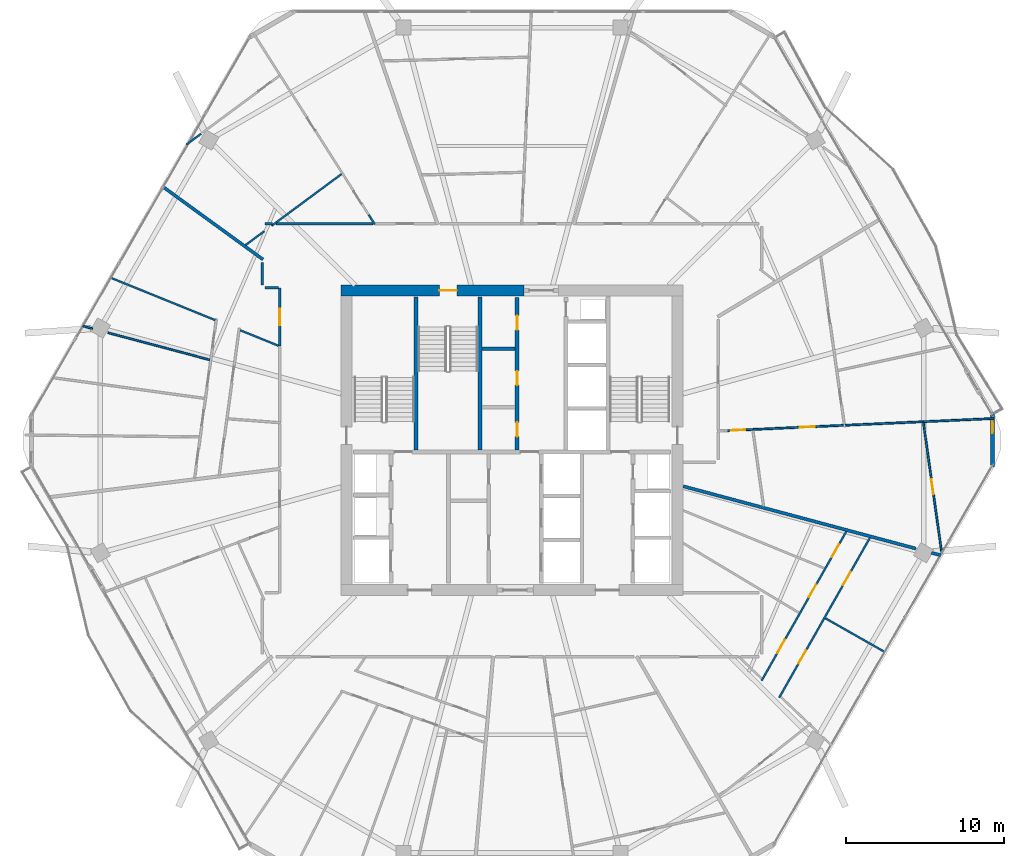
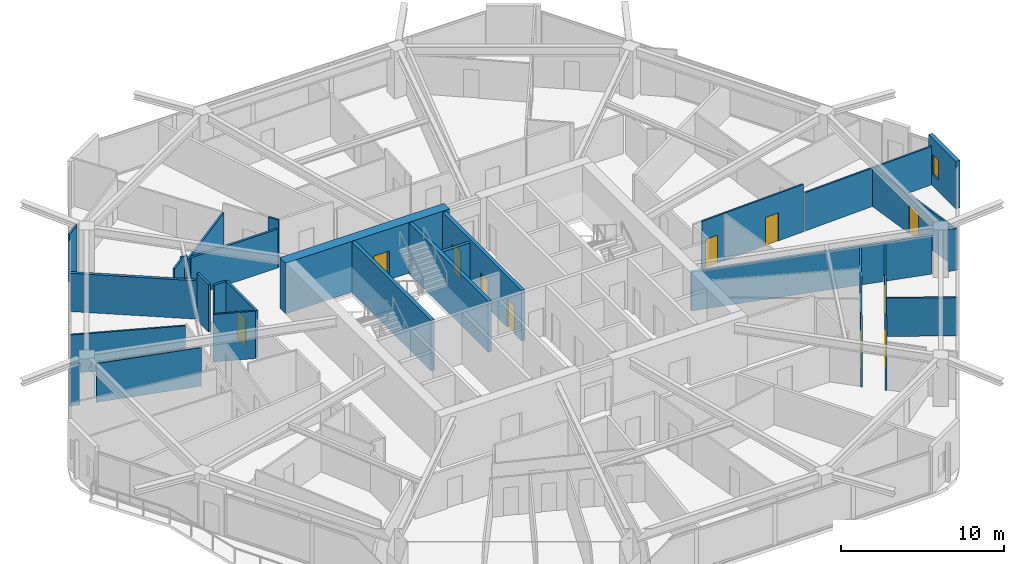
# One storey, part 21 of 26: 30 walls, 13 doors, 1 window, 14 openings.
"""IFC4 building model written with IfcOpenShell, lengths in metres."""

from ifc_helpers import new_model, si_unit, direction, frame, frame_2d, origin, place, context, subcontext, project, spatial, rectangle, extrude, material, layer, layer_set, type_object, element, fill, save


model = new_model("IFC4")

# Units and contexts
model_context = context("Model", 3, precision=1e-05, world=origin(), true_north=direction((0.0, 1.0)))
body_context = subcontext(model_context, "Body", "Model", "MODEL_VIEW")
ifc_project = project(units=[si_unit("LENGTHUNIT", "METRE"), si_unit("AREAUNIT", "SQUARE_METRE"), si_unit("VOLUMEUNIT", "CUBIC_METRE"), si_unit("PLANEANGLEUNIT", "RADIAN"), si_unit("MASSUNIT", "GRAM", prefix="KILO")], contexts=[model_context])

# Site, building, storey
site_placement = place(None, origin())
site = spatial("IfcSite", under=ifc_project, at=site_placement, CompositionType="ELEMENT")
building_placement = place(site_placement, origin())
building = spatial("IfcBuilding", under=site, at=building_placement, Name="Zuhravey Tower", CompositionType="ELEMENT")
storey_placement = place(building_placement, frame((0.0, 0.0, 203.60009765625)))
storey = spatial("IfcBuildingStorey", under=building, at=storey_placement, Name="L51", CompositionType="ELEMENT", Elevation=203.60009765625)

# Wall, opening, door
ifc_material_1 = material(Name="Concrete C60/75", Category="concrete")
ifc_layer_1 = layer(ifc_material_1, 0.699951171875)
ifc_layer_set_1 = layer_set([ifc_layer_1], Name="Concrete C60/75")
wall_type_1 = type_object("IfcWallType", Name="Core Shear Wall 700", PredefinedType="SHEAR", material=ifc_layer_set_1)
wall_1_placement = place(storey_placement, frame((36.75, 41.5, 0.0), z_axis=(0.0, 0.0, 1.0), x_axis=(-1.0, 0.0, 0.0)))
wall_1 = element("IfcWall", 1, at=wall_1_placement, inside=storey, type_object=wall_type_1, Name="L51 North-West Core Shear Wall CW70", PredefinedType="SHEAR", context=body_context, shape_type="SweptSolid", body=[
    extrude(rectangle(XDim=11.60009765625, YDim=0.699951171875, at=frame_2d((5.800048828125, 0.0))), origin(), (0.0, 0.0, 1.0), 3.7998046875),
])
opening_1_placement = place(wall_1_placement, frame((4.25, 0.0, 0.0)))
opening_1 = element("IfcOpeningElement", 2, at=opening_1_placement, cuts=wall_1, Name="Opening STD1", PredefinedType="OPENING", context=body_context, shape_type="SweptSolid", body=[
    extrude(rectangle(XDim=1.10009765625, YDim=2.14990234375, at=frame_2d((0.550048828125, 1.074951171875))), frame((0.0, 0.362060546875, 0.0), z_axis=(0.0, -1.0, 0.0), x_axis=(1.0, 0.0, 0.0)), (0.0, 0.0, 1.0), 0.723876953125),
])
ifc_material_2 = material(Name="Galvanised fire-rated steel leaf", Category="steel")
door_type_1 = type_object("IfcDoorType", Name="Protected Stair Fire Door 1100x2150", OperationType="NOTDEFINED", PredefinedType="USERDEFINED", material=ifc_material_2)
door_1_placement = place(opening_1_placement, origin())
door_1 = element("IfcDoor", 3, at=door_1_placement, inside=storey, type_object=door_type_1, Name="L51 Stair ST3 Door", ObjectType="EXITDOOR", OperationType="SINGLE_SWING_RIGHT", OverallHeight=2.14990234375, OverallWidth=1.10009765625, PredefinedType="USERDEFINED", context=body_context, shape_type="SweptSolid", body=[
    extrude(rectangle(XDim=1.10009765625, YDim=2.14990234375, at=frame_2d((0.550048828125, 1.074951171875))), frame((0.0, 0.02490234375, 0.0), z_axis=(0.0, -1.0, 0.0), x_axis=(1.0, 0.0, 0.0)), (0.0, 0.0, 1.0), 0.050048828125),
])
fill(opening_1, door_1)

ifc_material_3 = material(Name="Gypsum fire-rated stud partition")
ifc_layer_2 = layer(ifc_material_3, 0.159912109375)
ifc_layer_set_2 = layer_set([ifc_layer_2], Name="Gypsum fire-rated stud partition")
wall_type_2 = type_object("IfcWallType", Name="Corridor Fire Partition 160", PredefinedType="PARTITIONING", material=ifc_layer_set_2)
wall_2_placement = place(storey_placement, frame((21.27001953125, 41.669921875, 0.0), z_axis=(0.0, 0.0, 1.0), x_axis=(0.0, -1.0, 0.0)))
wall_2 = element("IfcWall", 4, at=wall_2_placement, inside=storey, type_object=wall_type_2, Name="L51 IW16 Partition 035", PredefinedType="PARTITIONING", context=body_context, shape_type="SweptSolid", body=[
    extrude(rectangle(XDim=3.67919921875, YDim=0.159912109375, at=frame_2d((1.839599609375, 0.0))), origin(), (0.0, 0.0, 1.0), 3.5498046875),
])
opening_2_placement = place(wall_2_placement, frame((1.314697265625, 0.0, 0.0)))
opening_2 = element("IfcOpeningElement", 5, at=opening_2_placement, cuts=wall_2, Name="Opening APD1", PredefinedType="OPENING", context=body_context, shape_type="SweptSolid", body=[
    extrude(rectangle(XDim=1.050048828125, YDim=2.14990234375, at=frame_2d((0.52490234375, 1.074951171875))), frame((0.0, 0.092041015625, 0.0), z_axis=(0.0, -1.0, 0.0), x_axis=(1.0, 0.0, 0.0)), (0.0, 0.0, 1.0), 0.183837890625),
])
ifc_material_4 = material(Name="Solid-core oak fire-rated leaf")
door_type_2 = type_object("IfcDoorType", Name="Apartment Entrance Fire Door 1050x2150", OperationType="NOTDEFINED", PredefinedType="DOOR", material=ifc_material_4)
door_2_placement = place(opening_2_placement, frame((1.050048828125, 0.0, 0.0), z_axis=(0.0, 0.0, 1.0), x_axis=(-1.0, 0.0, 0.0)))
door_2 = element("IfcDoor", 6, at=door_2_placement, inside=storey, type_object=door_type_2, Name="L51 Door 035.1", OperationType="SINGLE_SWING_RIGHT", OverallHeight=2.14990234375, OverallWidth=1.050048828125, PredefinedType="DOOR", context=body_context, shape_type="SweptSolid", body=[
    extrude(rectangle(XDim=1.050048828125, YDim=2.14990234375, at=frame_2d((0.52490234375, 1.074951171875))), frame((0.0, 0.02490234375, 0.0), z_axis=(0.0, -1.0, 0.0), x_axis=(1.0, 0.0, 0.0)), (0.0, 0.0, 1.0), 0.050048828125),
])
fill(opening_2, door_2)

# Walls
wall_3_placement = place(storey_placement, frame((27.199462890625, 45.72998046875, 0.0), z_axis=(0.0, 0.0, 1.0), x_axis=(-1.0, 0.0, 0.0)))
element("IfcWall", 7, at=wall_3_placement, inside=storey, type_object=wall_type_2, Name="L51 IW16 Partition 123", PredefinedType="PARTITIONING", context=body_context, shape_type="SweptSolid", body=[
    extrude(rectangle(XDim=6.166748046875, YDim=0.159912109375, at=frame_2d((3.08349609375, 0.0))), origin(), (0.0, 0.0, 1.0), 2.89990234375),
])
wall_4_placement = place(storey_placement, frame((20.80419921875, 45.72998046875, 0.0), z_axis=(0.0, 0.0, 1.0), x_axis=(-1.0, 0.0, 0.0)))
element("IfcWall", 8, at=wall_4_placement, inside=storey, type_object=wall_type_2, Name="L51 IW16 Partition 124", PredefinedType="PARTITIONING", context=body_context, shape_type="SweptSolid", body=[
    extrude(rectangle(XDim=0.4541015625, YDim=0.159912109375, at=frame_2d((0.22705078125, 0.0))), origin(), (0.0, 0.0, 1.0), 3.14990234375),
])
wall_5_placement = place(storey_placement, frame((20.169921875, 43.266845703125, 0.0), z_axis=(0.0, 0.0, 1.0), x_axis=(0.0, -1.0, 0.0)))
element("IfcWall", 9, at=wall_5_placement, inside=storey, type_object=wall_type_2, Name="L51 IW16 Partition 125", PredefinedType="PARTITIONING", context=body_context, shape_type="SweptSolid", body=[
    extrude(rectangle(XDim=1.416259765625, YDim=0.159912109375, at=frame_2d((0.7080078125, 0.0))), origin(), (0.0, 0.0, 1.0), 3.5498046875),
])
wall_6_placement = place(storey_placement, frame((20.3505859375, 41.669921875, 0.0), z_axis=(0.0, 0.0, 1.0), x_axis=(1.0, 0.0, 0.0)))
element("IfcWall", 10, at=wall_6_placement, inside=storey, type_object=wall_type_2, Name="L51 IW16 Partition 126", PredefinedType="PARTITIONING", context=body_context, shape_type="SweptSolid", body=[
    extrude(rectangle(XDim=0.831298828125, YDim=0.159912109375, at=frame_2d((0.41552734375, 0.0))), origin(), (0.0, 0.0, 1.0), 3.5498046875),
])

# Wall, opening, window
ifc_material_5 = material(Name="Precast concrete C40/50", Category="concrete")
ifc_layer_3 = layer(ifc_material_5, 0.280029296875)
ifc_layer_set_3 = layer_set([ifc_layer_3], Name="Precast concrete C40/50")
wall_type_3 = type_object("IfcWallType", Name="Crown Architectural Wall 280", PredefinedType="SOLIDWALL", material=ifc_layer_set_3)
wall_7_placement = place(storey_placement, frame((66.4716796875, 33.6826171875, 0.0), z_axis=(0.0, 0.0, 1.0), x_axis=(0.0, -1.0, 0.0)))
wall_7 = element("IfcWall", 11, at=wall_7_placement, inside=storey, type_object=wall_type_3, Name="L51 Rounded Corner Closure Wall EW28-12", PredefinedType="SOLIDWALL", context=body_context, shape_type="SweptSolid", body=[
    extrude(rectangle(XDim=3.365234375, YDim=0.280029296875, at=frame_2d((1.6826171875, 0.0))), origin(), (0.0, 0.0, 1.0), 3.5498046875),
])
opening_3_placement = place(wall_7_placement, frame((0.473388671875, 0.0, 0.85009765625)))
opening_3 = element("IfcOpeningElement", 12, at=opening_3_placement, cuts=wall_7, Name="Opening WN5", PredefinedType="OPENING", context=body_context, shape_type="SweptSolid", body=[
    extrude(rectangle(XDim=0.75, YDim=1.5, at=frame_2d((0.375, 0.75))), frame((0.0, 0.152099609375, 0.0), z_axis=(0.0, -1.0, 0.0), x_axis=(1.0, 0.0, 0.0)), (0.0, 0.0, 1.0), 0.303955078125),
])
ifc_material_6 = material(Name="Thermally broken aluminium and triple low-E glass", Category="aluminium")
window_type = type_object("IfcWindowType", Name="Residential Corner Casement Window 750x1500", PartitioningType="SINGLE_PANEL", PredefinedType="WINDOW", material=ifc_material_6)
window_placement = place(opening_3_placement, origin())
window = element("IfcWindow", 13, at=window_placement, inside=storey, type_object=window_type, Name="L51 Corner Casement Window WN5-12.1", OverallHeight=1.5, OverallWidth=0.75, PartitioningType="SINGLE_PANEL", PredefinedType="WINDOW", context=body_context, shape_type="SweptSolid", body=[
    extrude(rectangle(XDim=0.75, YDim=1.5, at=frame_2d((0.375, 0.75))), frame((0.0, 0.030029296875, 0.0), z_axis=(0.0, -1.0, 0.0), x_axis=(1.0, 0.0, 0.0)), (0.0, 0.0, 1.0), 0.06005859375),
])
fill(opening_3, window)

# Walls
ifc_material_7 = material(Name="Concrete C50/60", Category="concrete")
ifc_layer_4 = layer(ifc_material_7, 0.25)
ifc_layer_set_4 = layer_set([ifc_layer_4], Name="Concrete C50/60")
wall_type_4 = type_object("IfcWallType", Name="Firefighting Shaft & Stair Wall 250", PredefinedType="SOLIDWALL", material=ifc_layer_set_4)
for number, where, z_axis, x_axis, name in (
    (14, (29.925048828125, 31.39990234375, 0.0), (0.0, 0.0, 1.0), (0.0, 1.0, 0.0), "L51 FW25 Shaft Wall 004"),
    (15, (33.97509765625, 31.39990234375, 0.0), (0.0, 0.0, 1.0), (0.0, 1.0, 0.0), "L51 FW25 Shaft Wall 005"),
):
    element("IfcWall", number, at=place(storey_placement, frame(where, z_axis=z_axis, x_axis=x_axis)), inside=storey, type_object=wall_type_4, Name=name, PredefinedType="SOLIDWALL", context=body_context, shape_type="SweptSolid", body=[
        extrude(rectangle(XDim=9.7001953125, YDim=0.25, at=frame_2d((4.85009765625, 0.0))), origin(), (0.0, 0.0, 1.0), 3.7998046875),
    ])

# Wall, openings, doors
wall_8_placement = place(storey_placement, frame((36.324951171875, 31.39990234375, 0.0), z_axis=(0.0, 0.0, 1.0), x_axis=(0.0, 1.0, 0.0)))
wall_8 = element("IfcWall", 16, at=wall_8_placement, inside=storey, type_object=wall_type_4, Name="L51 FW25 Shaft Wall 007", PredefinedType="SOLIDWALL", context=body_context, shape_type="SweptSolid", body=[
    extrude(rectangle(XDim=9.650146484375, YDim=0.25, at=frame_2d((4.8251953125, 0.0))), origin(), (0.0, 0.0, 1.0), 3.7998046875),
])
opening_4_placement = place(wall_8_placement, frame((0.840087890625, 0.0, 0.0)))
opening_4 = element("IfcOpeningElement", 17, at=opening_4_placement, cuts=wall_8, Name="Opening RSD1", PredefinedType="OPENING", context=body_context, shape_type="SweptSolid", body=[
    extrude(rectangle(XDim=0.89990234375, YDim=2.10009765625, at=frame_2d((0.449951171875, 1.050048828125))), frame((0.0, 0.136962890625, 0.0), z_axis=(0.0, -1.0, 0.0), x_axis=(1.0, 0.0, 0.0)), (0.0, 0.0, 1.0), 0.27392578125),
])
opening_5_placement = place(wall_8_placement, frame((4.10009765625, 0.0, 0.0)))
opening_5 = element("IfcOpeningElement", 18, at=opening_5_placement, cuts=wall_8, Name="Opening RSD1", PredefinedType="OPENING", context=body_context, shape_type="SweptSolid", body=[
    extrude(rectangle(XDim=0.89990234375, YDim=2.10009765625, at=frame_2d((0.449951171875, 1.050048828125))), frame((0.0, 0.136962890625, 0.0), z_axis=(0.0, -1.0, 0.0), x_axis=(1.0, 0.0, 0.0)), (0.0, 0.0, 1.0), 0.27392578125),
])
opening_6_placement = place(wall_8_placement, frame((7.610107421875, 0.0, 0.0)))
opening_6 = element("IfcOpeningElement", 19, at=opening_6_placement, cuts=wall_8, Name="Opening RSD1", PredefinedType="OPENING", context=body_context, shape_type="SweptSolid", body=[
    extrude(rectangle(XDim=0.89990234375, YDim=2.10009765625, at=frame_2d((0.449951171875, 1.050048828125))), frame((0.0, 0.136962890625, 0.0), z_axis=(0.0, -1.0, 0.0), x_axis=(1.0, 0.0, 0.0)), (0.0, 0.0, 1.0), 0.27392578125),
])
ifc_material_8 = material(Name="Galvanised fire-rated steel access leaf", Category="steel")
door_type_3 = type_object("IfcDoorType", Name="Riser & Shaft Access Fire Door 900x2100", OperationType="NOTDEFINED", PredefinedType="DOOR", material=ifc_material_8)
door_3_placement = place(opening_4_placement, origin())
door_3 = element("IfcDoor", 20, at=door_3_placement, inside=storey, type_object=door_type_3, Name="L51 Core Staff WC Door", OperationType="SINGLE_SWING_RIGHT", OverallHeight=2.10009765625, OverallWidth=0.89990234375, PredefinedType="DOOR", context=body_context, shape_type="SweptSolid", body=[
    extrude(rectangle(XDim=0.89990234375, YDim=2.10009765625, at=frame_2d((0.449951171875, 1.050048828125))), frame((0.0, 0.02490234375, 0.0), z_axis=(0.0, -1.0, 0.0), x_axis=(1.0, 0.0, 0.0)), (0.0, 0.0, 1.0), 0.050048828125),
])
fill(opening_4, door_3)
door_4_placement = place(opening_5_placement, origin())
door_4 = element("IfcDoor", 21, at=door_4_placement, inside=storey, type_object=door_type_3, Name="L51 IT and Comms Room Door", OperationType="SINGLE_SWING_LEFT", OverallHeight=2.10009765625, OverallWidth=0.89990234375, PredefinedType="DOOR", context=body_context, shape_type="SweptSolid", body=[
    extrude(rectangle(XDim=0.89990234375, YDim=2.10009765625, at=frame_2d((0.449951171875, 1.050048828125))), frame((0.0, 0.02490234375, 0.0), z_axis=(0.0, -1.0, 0.0), x_axis=(1.0, 0.0, 0.0)), (0.0, 0.0, 1.0), 0.050048828125),
])
fill(opening_5, door_4)
door_5_placement = place(opening_6_placement, origin())
door_5 = element("IfcDoor", 22, at=door_5_placement, inside=storey, type_object=door_type_3, Name="L51 Janitor Linen Store Door", OperationType="SINGLE_SWING_RIGHT", OverallHeight=2.10009765625, OverallWidth=0.89990234375, PredefinedType="DOOR", context=body_context, shape_type="SweptSolid", body=[
    extrude(rectangle(XDim=0.89990234375, YDim=2.10009765625, at=frame_2d((0.449951171875, 1.050048828125))), frame((0.0, 0.02490234375, 0.0), z_axis=(0.0, -1.0, 0.0), x_axis=(1.0, 0.0, 0.0)), (0.0, 0.0, 1.0), 0.050048828125),
])
fill(opening_6, door_5)

# Walls
ifc_material_9 = material(Name="Gypsum double-stud party assembly")
ifc_layer_5 = layer(ifc_material_9, 0.199951171875)
ifc_layer_set_5 = layer_set([ifc_layer_5], Name="Gypsum double-stud party assembly")
wall_type_5 = type_object("IfcWallType", Name="Inter-Tenancy Party Wall 200", PredefinedType="PARTITIONING", material=ifc_layer_set_5)
wall_9_placement = place(storey_placement, frame((20.2099609375, 43.47216796875, 0.0), z_axis=(0.0, 0.0, 1.0), x_axis=(-0.809016970463, 0.587785285205, 0.0)))
element("IfcWall", 23, at=wall_9_placement, inside=storey, type_object=wall_type_5, Name="L51 IW20 Partition 082", PredefinedType="PARTITIONING", context=body_context, shape_type="SweptSolid", body=[
    extrude(rectangle(XDim=7.8154296875, YDim=0.199951171875, at=frame_2d((3.90771484375, 0.0))), origin(), (0.0, 0.0, 1.0), 2.869873046875),
])
wall_10_placement = place(storey_placement, frame((46.85791015625, 29.090576171875, 0.0), z_axis=(0.0, 0.0, 1.0), x_axis=(0.965927861862, -0.25881144812, 0.0)))
element("IfcWall", 24, at=wall_10_placement, inside=storey, type_object=wall_type_5, Name="L51 IW20 Partition 113", PredefinedType="PARTITIONING", context=body_context, shape_type="SweptSolid", body=[
    extrude(rectangle(XDim=15.275146484375, YDim=0.199951171875, at=frame_2d((7.6376953125, 0.0))), origin(), (0.0, 0.0, 1.0), 2.89990234375),
])
wall_11_placement = place(storey_placement, frame((62.6025390625, 24.871826171875, 0.0), z_axis=(0.0, 0.0, 1.0), x_axis=(0.965944425699, -0.258749621182, 0.0)))
element("IfcWall", 25, at=wall_11_placement, inside=storey, type_object=wall_type_5, Name="L51 IW20 Partition 114", PredefinedType="PARTITIONING", context=body_context, shape_type="SweptSolid", body=[
    extrude(rectangle(XDim=0.60107421875, YDim=0.199951171875, at=frame_2d((0.300537109375, 0.0))), origin(), (0.0, 0.0, 1.0), 3.121826171875),
])
ifc_material_10 = material(Name="Gypsum acoustic stud assembly")
ifc_layer_6 = layer(ifc_material_10, 0.219970703125)
ifc_layer_set_6 = layer_set([ifc_layer_6], Name="Gypsum acoustic stud assembly")
wall_type_6 = type_object("IfcWallType", Name="School Acoustic Compartment Wall 220", PredefinedType="PARTITIONING", material=ifc_layer_set_6)
wall_12_placement = place(storey_placement, frame((34.10791015625, 37.800048828125, 0.0), z_axis=(0.0, 0.0, 1.0), x_axis=(1.0, 0.0, 0.0)))
element("IfcWall", 26, at=wall_12_placement, inside=storey, type_object=wall_type_6, Name="L51 IW22 Partition 058", PredefinedType="PARTITIONING", context=body_context, shape_type="SweptSolid", body=[
    extrude(rectangle(XDim=2.083984375, YDim=0.219970703125, at=frame_2d((1.0419921875, 0.0))), origin(), (0.0, 0.0, 1.0), 3.5498046875),
])

# Wall, openings, doors
ifc_material_11 = material(Name="Gypsum metal-stud partition")
ifc_layer_7 = layer(ifc_material_11, 0.1201171875)
ifc_layer_set_7 = layer_set([ifc_layer_7], Name="Gypsum metal-stud partition")
wall_type_7 = type_object("IfcWallType", Name="Unit Internal Partition 120", PredefinedType="PARTITIONING", material=ifc_layer_set_7)
wall_13_placement = place(storey_placement, frame((51.8271484375, 16.75830078125, 0.0), z_axis=(0.0, 0.0, 1.0), x_axis=(0.493634405262, 0.869669519957, 0.0)))
wall_13 = element("IfcWall", 27, at=wall_13_placement, inside=storey, type_object=wall_type_7, Name="L51 IW12 Partition 048", PredefinedType="PARTITIONING", context=body_context, shape_type="SweptSolid", body=[
    extrude(rectangle(XDim=10.884765625, YDim=0.1201171875, at=frame_2d((5.4423828125, 0.0))), origin(), (0.0, 0.0, 1.0), 2.89990234375),
])
opening_7_placement = place(wall_13_placement, frame((2.0361328125, 0.0, 0.0)))
opening_7 = element("IfcOpeningElement", 28, at=opening_7_placement, cuts=wall_13, Name="Opening IND1", PredefinedType="OPENING", context=body_context, shape_type="SweptSolid", body=[
    extrude(rectangle(XDim=0.949951171875, YDim=2.10009765625, at=frame_2d((0.47509765625, 1.050048828125))), frame((0.0, 0.072021484375, 0.0), z_axis=(0.0, -1.0, 0.0), x_axis=(1.0, 0.0, 0.0)), (0.0, 0.0, 1.0), 0.14404296875),
])
opening_8_placement = place(wall_13_placement, frame((6.098388671875, 0.0, 0.0)))
opening_8 = element("IfcOpeningElement", 29, at=opening_8_placement, cuts=wall_13, Name="Opening WCD1", PredefinedType="OPENING", context=body_context, shape_type="SweptSolid", body=[
    extrude(rectangle(XDim=0.89990234375, YDim=2.10009765625, at=frame_2d((0.449951171875, 1.050048828125))), frame((0.0, 0.072021484375, 0.0), z_axis=(0.0, -1.0, 0.0), x_axis=(1.0, 0.0, 0.0)), (0.0, 0.0, 1.0), 0.14404296875),
])
opening_9_placement = place(wall_13_placement, frame((9.029296875, 0.0, 0.0)))
opening_9 = element("IfcOpeningElement", 30, at=opening_9_placement, cuts=wall_13, Name="Opening WCD1", PredefinedType="OPENING", context=body_context, shape_type="SweptSolid", body=[
    extrude(rectangle(XDim=0.89990234375, YDim=2.10009765625, at=frame_2d((0.449951171875, 1.050048828125))), frame((0.0, 0.072021484375, 0.0), z_axis=(0.0, -1.0, 0.0), x_axis=(1.0, 0.0, 0.0)), (0.0, 0.0, 1.0), 0.14404296875),
])
ifc_material_12 = material(Name="Moisture-resistant timber leaf", Category="wood")
door_type_4 = type_object("IfcDoorType", Name="Bathroom & WC Internal Door 900x2100", OperationType="NOTDEFINED", PredefinedType="DOOR", material=ifc_material_12)
door_6_placement = place(opening_8_placement, origin())
door_6 = element("IfcDoor", 31, at=door_6_placement, inside=storey, type_object=door_type_4, Name="Apartment L51-08 Bathroom 1 Door", OperationType="SINGLE_SWING_RIGHT", OverallHeight=2.10009765625, OverallWidth=0.89990234375, PredefinedType="DOOR", context=body_context, shape_type="SweptSolid", body=[
    extrude(rectangle(XDim=0.89990234375, YDim=2.10009765625, at=frame_2d((0.449951171875, 1.050048828125))), frame((0.0, 0.02490234375, 0.0), z_axis=(0.0, -1.0, 0.0), x_axis=(1.0, 0.0, 0.0)), (0.0, 0.0, 1.0), 0.050048828125),
])
fill(opening_8, door_6)
door_7_placement = place(opening_9_placement, origin())
door_7 = element("IfcDoor", 32, at=door_7_placement, inside=storey, type_object=door_type_4, Name="Apartment L51-08 Bathroom 2 Door", OperationType="SINGLE_SWING_LEFT", OverallHeight=2.10009765625, OverallWidth=0.89990234375, PredefinedType="DOOR", context=body_context, shape_type="SweptSolid", body=[
    extrude(rectangle(XDim=0.89990234375, YDim=2.10009765625, at=frame_2d((0.449951171875, 1.050048828125))), frame((0.0, 0.02490234375, 0.0), z_axis=(0.0, -1.0, 0.0), x_axis=(1.0, 0.0, 0.0)), (0.0, 0.0, 1.0), 0.050048828125),
])
fill(opening_9, door_7)
ifc_material_13 = material(Name="Painted engineered timber leaf", Category="wood")
door_type_5 = type_object("IfcDoorType", Name="Internal Room & Bedroom Door 950x2100", OperationType="NOTDEFINED", PredefinedType="DOOR", material=ifc_material_13)
door_8_placement = place(opening_7_placement, origin())
door_8 = element("IfcDoor", 33, at=door_8_placement, inside=storey, type_object=door_type_5, Name="Apartment L51-08 Kitchen Door", OperationType="SINGLE_SWING_LEFT", OverallHeight=2.10009765625, OverallWidth=0.949951171875, PredefinedType="DOOR", context=body_context, shape_type="SweptSolid", body=[
    extrude(rectangle(XDim=0.949951171875, YDim=2.10009765625, at=frame_2d((0.47509765625, 1.050048828125))), frame((0.0, 0.02490234375, 0.0), z_axis=(0.0, -1.0, 0.0), x_axis=(1.0, 0.0, 0.0)), (0.0, 0.0, 1.0), 0.050048828125),
])
fill(opening_7, door_8)

wall_14_placement = place(storey_placement, frame((52.94580078125, 15.690673828125, 0.0), z_axis=(0.0, 0.0, 1.0), x_axis=(0.493647118533, 0.869662303635, 0.0)))
wall_14 = element("IfcWall", 34, at=wall_14_placement, inside=storey, type_object=wall_type_7, Name="L51 IW12 Partition 049", PredefinedType="PARTITIONING", context=body_context, shape_type="SweptSolid", body=[
    extrude(rectangle(XDim=11.63720703125, YDim=0.1201171875, at=frame_2d((5.818603515625, 0.0))), origin(), (0.0, 0.0, 1.0), 2.89990234375),
])
opening_10_placement = place(wall_14_placement, frame((2.484375, 0.0, 0.0)))
opening_10 = element("IfcOpeningElement", 35, at=opening_10_placement, cuts=wall_14, Name="Opening IND1", PredefinedType="OPENING", context=body_context, shape_type="SweptSolid", body=[
    extrude(rectangle(XDim=0.949951171875, YDim=2.10009765625, at=frame_2d((0.47509765625, 1.050048828125))), frame((0.0, 0.072021484375, 0.0), z_axis=(0.0, -1.0, 0.0), x_axis=(1.0, 0.0, 0.0)), (0.0, 0.0, 1.0), 0.14404296875),
])
opening_11_placement = place(wall_14_placement, frame((8.202880859375, 0.0, 0.0)))
opening_11 = element("IfcOpeningElement", 36, at=opening_11_placement, cuts=wall_14, Name="Opening IND1", PredefinedType="OPENING", context=body_context, shape_type="SweptSolid", body=[
    extrude(rectangle(XDim=0.949951171875, YDim=2.10009765625, at=frame_2d((0.47509765625, 1.050048828125))), frame((0.0, 0.072021484375, 0.0), z_axis=(0.0, -1.0, 0.0), x_axis=(1.0, 0.0, 0.0)), (0.0, 0.0, 1.0), 0.14404296875),
])
door_9_placement = place(opening_10_placement, frame((0.949951171875, 0.0, 0.0), z_axis=(0.0, 0.0, 1.0), x_axis=(-1.0, 0.0, 0.0)))
door_9 = element("IfcDoor", 37, at=door_9_placement, inside=storey, type_object=door_type_5, Name="Apartment L51-08 Bedroom 1 Door", OperationType="SINGLE_SWING_RIGHT", OverallHeight=2.10009765625, OverallWidth=0.949951171875, PredefinedType="DOOR", context=body_context, shape_type="SweptSolid", body=[
    extrude(rectangle(XDim=0.949951171875, YDim=2.10009765625, at=frame_2d((0.47509765625, 1.050048828125))), frame((0.0, 0.02490234375, 0.0), z_axis=(0.0, -1.0, 0.0), x_axis=(1.0, 0.0, 0.0)), (0.0, 0.0, 1.0), 0.050048828125),
])
fill(opening_10, door_9)
door_10_placement = place(opening_11_placement, frame((0.949951171875, 0.0, 0.0), z_axis=(0.0, 0.0, 1.0), x_axis=(-1.0, 0.0, 0.0)))
door_10 = element("IfcDoor", 38, at=door_10_placement, inside=storey, type_object=door_type_5, Name="Apartment L51-08 Bedroom 2 Door", OperationType="SINGLE_SWING_LEFT", OverallHeight=2.10009765625, OverallWidth=0.949951171875, PredefinedType="DOOR", context=body_context, shape_type="SweptSolid", body=[
    extrude(rectangle(XDim=0.949951171875, YDim=2.10009765625, at=frame_2d((0.47509765625, 1.050048828125))), frame((0.0, 0.02490234375, 0.0), z_axis=(0.0, -1.0, 0.0), x_axis=(1.0, 0.0, 0.0)), (0.0, 0.0, 1.0), 0.050048828125),
])
fill(opening_11, door_10)

# Wall, opening, door
wall_15_placement = place(storey_placement, frame((49.64990234375, 32.619873046875, 0.0), z_axis=(0.0, 0.0, 1.0), x_axis=(0.998968234181, 0.045414393056, 0.0)))
wall_15 = element("IfcWall", 39, at=wall_15_placement, inside=storey, type_object=wall_type_7, Name="L51 IW12 Partition 052", PredefinedType="PARTITIONING", context=body_context, shape_type="SweptSolid", body=[
    extrude(rectangle(XDim=1.64501953125, YDim=0.1201171875, at=frame_2d((0.822509765625, 0.0))), origin(), (0.0, 0.0, 1.0), 3.5498046875),
])
opening_12_placement = place(wall_15_placement, frame((0.24072265625, 0.0, 0.0)))
opening_12 = element("IfcOpeningElement", 40, at=opening_12_placement, cuts=wall_15, Name="Opening WCD1", PredefinedType="OPENING", context=body_context, shape_type="SweptSolid", body=[
    extrude(rectangle(XDim=0.89990234375, YDim=2.10009765625, at=frame_2d((0.449951171875, 1.050048828125))), frame((0.0, 0.072021484375, 0.0), z_axis=(0.0, -1.0, 0.0), x_axis=(1.0, 0.0, 0.0)), (0.0, 0.0, 1.0), 0.14404296875),
])
door_11_placement = place(opening_12_placement, frame((0.89990234375, 0.0, 0.0), z_axis=(0.0, 0.0, 1.0), x_axis=(-1.0, 0.0, 0.0)))
door_11 = element("IfcDoor", 41, at=door_11_placement, inside=storey, type_object=door_type_4, Name="Apartment L51-09 Bathroom Door", OperationType="SINGLE_SWING_LEFT", OverallHeight=2.10009765625, OverallWidth=0.89990234375, PredefinedType="DOOR", context=body_context, shape_type="SweptSolid", body=[
    extrude(rectangle(XDim=0.89990234375, YDim=2.10009765625, at=frame_2d((0.449951171875, 1.050048828125))), frame((0.0, 0.02490234375, 0.0), z_axis=(0.0, -1.0, 0.0), x_axis=(1.0, 0.0, 0.0)), (0.0, 0.0, 1.0), 0.050048828125),
])
fill(opening_12, door_11)

wall_16_placement = place(storey_placement, frame((51.293212890625, 32.694580078125, 0.0), z_axis=(0.0, 0.0, 1.0), x_axis=(0.99897231705, 0.045324494132, 0.0)))
wall_16 = element("IfcWall", 42, at=wall_16_placement, inside=storey, type_object=wall_type_7, Name="L51 IW12 Partition 053", PredefinedType="PARTITIONING", context=body_context, shape_type="SweptSolid", body=[
    extrude(rectangle(XDim=5.725830078125, YDim=0.1201171875, at=frame_2d((2.86279296875, 0.0))), origin(), (0.0, 0.0, 1.0), 3.5498046875),
])
opening_13_placement = place(wall_16_placement, frame((2.955078125, 0.0, 0.0)))
opening_13 = element("IfcOpeningElement", 43, at=opening_13_placement, cuts=wall_16, Name="Opening IND1", PredefinedType="OPENING", context=body_context, shape_type="SweptSolid", body=[
    extrude(rectangle(XDim=0.949951171875, YDim=2.10009765625, at=frame_2d((0.47509765625, 1.050048828125))), frame((0.0, 0.072021484375, 0.0), z_axis=(0.0, -1.0, 0.0), x_axis=(1.0, 0.0, 0.0)), (0.0, 0.0, 1.0), 0.14404296875),
])
door_12_placement = place(opening_13_placement, frame((0.949951171875, 0.0, 0.0), z_axis=(0.0, 0.0, 1.0), x_axis=(-1.0, 0.0, 0.0)))
door_12 = element("IfcDoor", 44, at=door_12_placement, inside=storey, type_object=door_type_5, Name="Apartment L51-09 Home Office Door", OperationType="SINGLE_SWING_RIGHT", OverallHeight=2.10009765625, OverallWidth=0.949951171875, PredefinedType="DOOR", context=body_context, shape_type="SweptSolid", body=[
    extrude(rectangle(XDim=0.949951171875, YDim=2.10009765625, at=frame_2d((0.47509765625, 1.050048828125))), frame((0.0, 0.02490234375, 0.0), z_axis=(0.0, -1.0, 0.0), x_axis=(1.0, 0.0, 0.0)), (0.0, 0.0, 1.0), 0.050048828125),
])
fill(opening_13, door_12)

# Wall
wall_17_placement = place(storey_placement, frame((57.149658203125, 32.96044921875, 0.0), z_axis=(0.0, 0.0, 1.0), x_axis=(0.998970871776, 0.04535633741, 0.0)))
element("IfcWall", 45, at=wall_17_placement, inside=storey, type_object=wall_type_7, Name="L51 IW12 Partition 054", PredefinedType="PARTITIONING", context=body_context, shape_type="SweptSolid", body=[
    extrude(rectangle(XDim=4.962890625, YDim=0.1201171875, at=frame_2d((2.4814453125, 0.0))), origin(), (0.0, 0.0, 1.0), 2.869873046875),
])

# Wall, opening, door
wall_18_placement = place(storey_placement, frame((63.25390625, 24.848388671875, 0.0), z_axis=(0.0, 0.0, 1.0), x_axis=(-0.139181804835, 0.990266845453, 0.0)))
wall_18 = element("IfcWall", 46, at=wall_18_placement, inside=storey, type_object=wall_type_7, Name="L51 IW12 Partition 055", PredefinedType="PARTITIONING", context=body_context, shape_type="SweptSolid", body=[
    extrude(rectangle(XDim=8.349609375, YDim=0.1201171875, at=frame_2d((4.1748046875, 0.0))), origin(), (0.0, 0.0, 1.0), 2.869873046875),
])
opening_14_placement = place(wall_18_placement, frame((3.7841796875, 0.0, 0.0)))
opening_14 = element("IfcOpeningElement", 47, at=opening_14_placement, cuts=wall_18, Name="Opening IND1", PredefinedType="OPENING", context=body_context, shape_type="SweptSolid", body=[
    extrude(rectangle(XDim=0.949951171875, YDim=2.10009765625, at=frame_2d((0.47509765625, 1.050048828125))), frame((0.0, 0.072021484375, 0.0), z_axis=(0.0, -1.0, 0.0), x_axis=(1.0, 0.0, 0.0)), (0.0, 0.0, 1.0), 0.14404296875),
])
door_13_placement = place(opening_14_placement, frame((0.949951171875, 0.0, 0.0), z_axis=(0.0, 0.0, 1.0), x_axis=(-1.0, 0.0, 0.0)))
door_13 = element("IfcDoor", 48, at=door_13_placement, inside=storey, type_object=door_type_5, Name="Apartment L51-09 Bedroom 1 Door", OperationType="SINGLE_SWING_LEFT", OverallHeight=2.10009765625, OverallWidth=0.949951171875, PredefinedType="DOOR", context=body_context, shape_type="SweptSolid", body=[
    extrude(rectangle(XDim=0.949951171875, YDim=2.10009765625, at=frame_2d((0.47509765625, 1.050048828125))), frame((0.0, 0.02490234375, 0.0), z_axis=(0.0, -1.0, 0.0), x_axis=(1.0, 0.0, 0.0)), (0.0, 0.0, 1.0), 0.050048828125),
])
fill(opening_14, door_13)

# Walls
wall_19_placement = place(storey_placement, frame((27.3037109375, 45.692626953125, 0.0), z_axis=(0.0, 0.0, 1.0), x_axis=(-0.536084900609, 0.844164071339, 0.0)))
element("IfcWall", 49, at=wall_19_placement, inside=storey, type_object=wall_type_7, Name="L51 IW12 Partition 077", PredefinedType="PARTITIONING", context=body_context, shape_type="SweptSolid", body=[
    extrude(rectangle(XDim=0.719482421875, YDim=0.1201171875, at=frame_2d((0.35986328125, 0.0))), origin(), (0.0, 0.0, 1.0), 3.5498046875),
])
wall_20_placement = place(storey_placement, frame((25.19140625, 48.8916015625, 0.0), z_axis=(0.0, 0.0, 1.0), x_axis=(-0.803880830958, -0.59479039133, 0.0)))
element("IfcWall", 50, at=wall_20_placement, inside=storey, type_object=wall_type_7, Name="L51 IW12 Partition 079", PredefinedType="PARTITIONING", context=body_context, shape_type="SweptSolid", body=[
    extrude(rectangle(XDim=5.51708984375, YDim=0.1201171875, at=frame_2d((2.758544921875, 0.0))), origin(), (0.0, 0.0, 1.0), 2.89990234375),
])
wall_21_placement = place(storey_placement, frame((20.2900390625, 45.264892578125, 0.0), z_axis=(0.0, 0.0, 1.0), x_axis=(-0.803933190683, -0.594719618743, 0.0)))
element("IfcWall", 51, at=wall_21_placement, inside=storey, type_object=wall_type_7, Name="L51 IW12 Partition 080", PredefinedType="PARTITIONING", context=body_context, shape_type="SweptSolid", body=[
    extrude(rectangle(XDim=1.483154296875, YDim=0.1201171875, at=frame_2d((0.74169921875, 0.0))), origin(), (0.0, 0.0, 1.0), 3.5498046875),
])
wall_22_placement = place(storey_placement, frame((16.279541015625, 51.445068359375, 0.0), z_axis=(0.0, 0.0, 1.0), x_axis=(-0.803825783306, -0.594864783033, 0.0)))
element("IfcWall", 52, at=wall_22_placement, inside=storey, type_object=wall_type_7, Name="L51 IW12 Partition 081", PredefinedType="PARTITIONING", context=body_context, shape_type="SweptSolid", body=[
    extrude(rectangle(XDim=1.158935546875, YDim=0.1201171875, at=frame_2d((0.57958984375, 0.0))), origin(), (0.0, 0.0, 1.0), 3.5498046875),
])
wall_23_placement = place(storey_placement, frame((16.829345703125, 37.108154296875, 0.0), z_axis=(0.0, 0.0, 1.0), x_axis=(-0.966282940461, 0.257482579943, 0.0)))
element("IfcWall", 53, at=wall_23_placement, inside=storey, type_object=wall_type_7, Name="L51 IW12 Partition 084", PredefinedType="PARTITIONING", context=body_context, shape_type="SweptSolid", body=[
    extrude(rectangle(XDim=6.666748046875, YDim=0.1201171875, at=frame_2d((3.33349609375, 0.0))), origin(), (0.0, 0.0, 1.0), 2.89990234375),
])
wall_24_placement = place(storey_placement, frame((9.3974609375, 39.08837890625, 0.0), z_axis=(0.0, 0.0, 1.0), x_axis=(-0.966254166423, 0.25759053917, 0.0)))
element("IfcWall", 54, at=wall_24_placement, inside=storey, type_object=wall_type_7, Name="L51 IW12 Partition 085", PredefinedType="PARTITIONING", context=body_context, shape_type="SweptSolid", body=[
    extrude(rectangle(XDim=0.632080078125, YDim=0.1201171875, at=frame_2d((0.31591796875, 0.0))), origin(), (0.0, 0.0, 1.0), 3.121826171875),
])
wall_25_placement = place(storey_placement, frame((21.181884765625, 38.0048828125, 0.0), z_axis=(0.0, 0.0, 1.0), x_axis=(-0.926761223062, 0.375650948925, 0.0)))
element("IfcWall", 55, at=wall_25_placement, inside=storey, type_object=wall_type_7, Name="L51 IW12 Partition 088", PredefinedType="PARTITIONING", context=body_context, shape_type="SweptSolid", body=[
    extrude(rectangle(XDim=2.615966796875, YDim=0.1201171875, at=frame_2d((1.30810546875, 0.0))), origin(), (0.0, 0.0, 1.0), 3.5498046875),
])
wall_26_placement = place(storey_placement, frame((17.173828125, 39.62939453125, 0.0), z_axis=(0.0, 0.0, 1.0), x_axis=(-0.926798437472, 0.375559124906, 0.0)))
element("IfcWall", 56, at=wall_26_placement, inside=storey, type_object=wall_type_7, Name="L51 IW12 Partition 089", PredefinedType="PARTITIONING", context=body_context, shape_type="SweptSolid", body=[
    extrude(rectangle(XDim=7.14306640625, YDim=0.1201171875, at=frame_2d((3.571533203125, 0.0))), origin(), (0.0, 0.0, 1.0), 2.869873046875),
])
wall_27_placement = place(storey_placement, frame((55.87744140625, 20.71728515625, 0.0), z_axis=(0.0, 0.0, 1.0), x_axis=(0.869673507185, -0.493627380623, 0.0)))
element("IfcWall", 57, at=wall_27_placement, inside=storey, type_object=wall_type_7, Name="L51 IW12 Partition 108", PredefinedType="PARTITIONING", context=body_context, shape_type="SweptSolid", body=[
    extrude(rectangle(XDim=4.33740234375, YDim=0.1201171875, at=frame_2d((2.168701171875, 0.0))), origin(), (0.0, 0.0, 1.0), 2.869873046875),
])
wall_28_placement = place(storey_placement, frame((62.107421875, 33.185546875, 0.0), z_axis=(0.0, 0.0, 1.0), x_axis=(0.998971026313, 0.045352933617, 0.0)))
element("IfcWall", 58, at=wall_28_placement, inside=storey, type_object=wall_type_7, Name="L51 IW12 Partition 117", PredefinedType="PARTITIONING", context=body_context, shape_type="SweptSolid", body=[
    extrude(rectangle(XDim=4.451904296875, YDim=0.1201171875, at=frame_2d((2.22607421875, 0.0))), origin(), (0.0, 0.0, 1.0), 2.869873046875),
])

save(model, "model.ifc")
